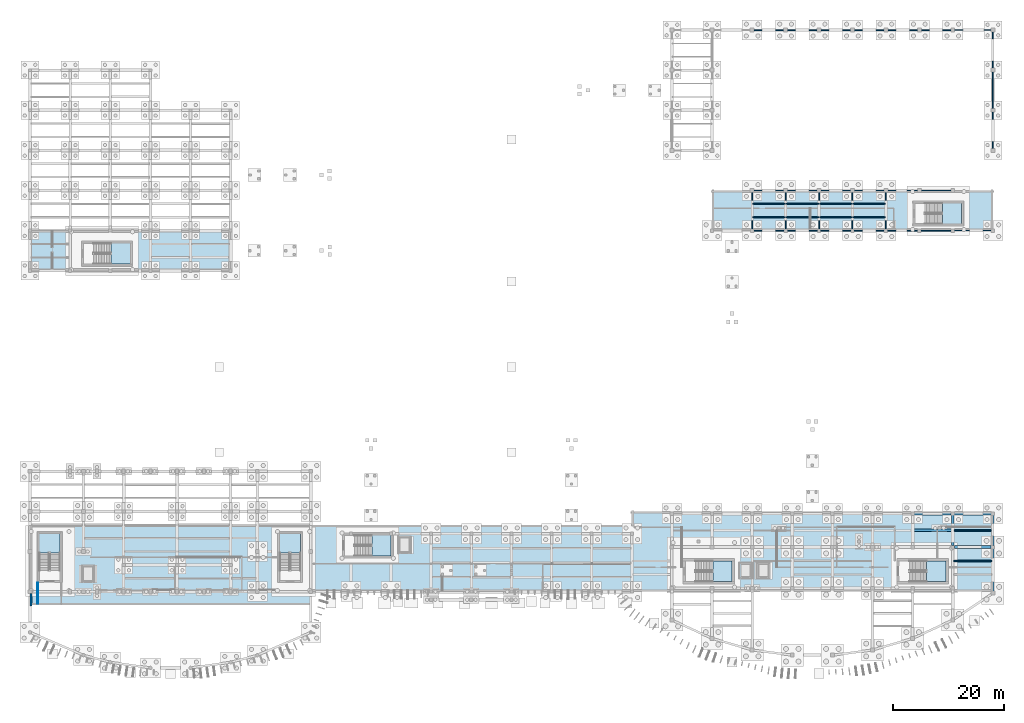
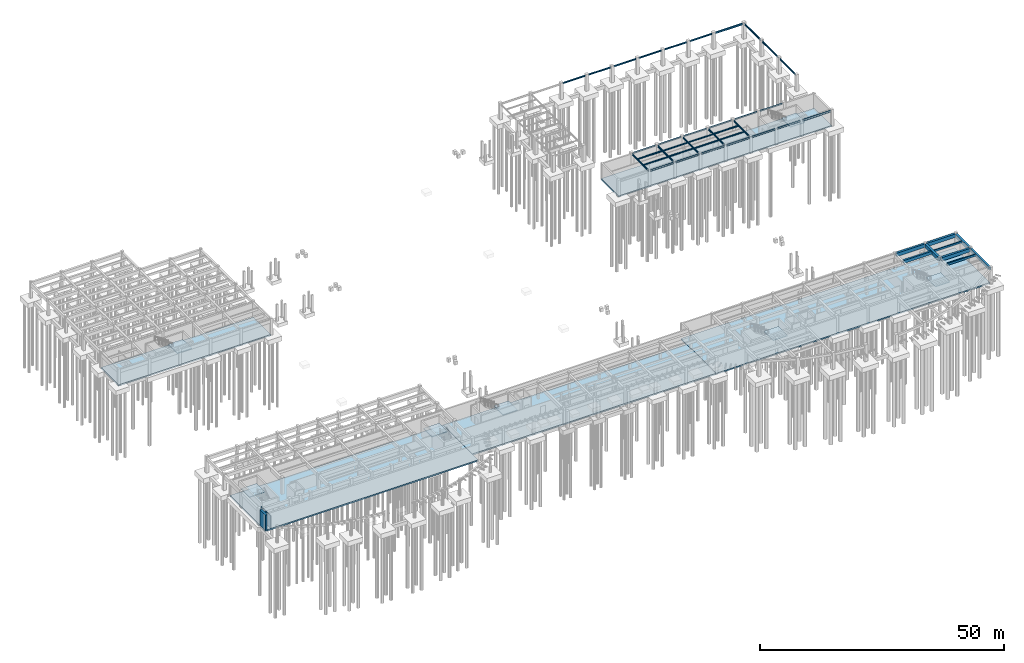
# One storey, part 15 of 31: 45 beams, 12 slabs, 2 walls, 7 elements without a shape of their own.
"""IFC4 building model written with IfcOpenShell, lengths in metres."""

from ifc_helpers import new_model, si_unit, direction, frame, frame_2d, origin, origin_2d, place, context, subcontext, project, spatial, polyline, rectangle, i_section, outline, extrude, material, layer, layer_set, material_profile, profile_set, type_object, element, aggregate, save


model = new_model("IFC4")

# Units and contexts
model_context = context("Model", 3, precision=1e-05, world=origin(), true_north=direction((0.0, 1.0)))
body_context = subcontext(model_context, "Body", "Model", "MODEL_VIEW")
ifc_project = project(units=[si_unit("LENGTHUNIT", "METRE"), si_unit("AREAUNIT", "SQUARE_METRE"), si_unit("VOLUMEUNIT", "CUBIC_METRE"), si_unit("PLANEANGLEUNIT", "RADIAN"), si_unit("MASSUNIT", "GRAM", prefix="KILO")], contexts=[model_context])

# Site, building, storey
site_placement = place(None, origin())
site = spatial("IfcSite", under=ifc_project, at=site_placement, CompositionType="ELEMENT")
building_placement = place(site_placement, origin())
building = spatial("IfcBuilding", under=site, at=building_placement, Name="Brisavento Harbour Community Centre", CompositionType="ELEMENT")
storey_placement = place(building_placement, frame((0.0, 0.0, -4.199951171875)))
storey = spatial("IfcBuildingStorey", under=building, at=storey_placement, Name="B1", CompositionType="ELEMENT", Elevation=-4.199951171875)

# Beams
ifc_material_1 = material(Name="Concrete C35/45", Category="concrete")
ifc_material_profile_1 = material_profile(ifc_material_1, rectangle(XDim=0.25, YDim=0.449951171875, at=origin_2d()), Name="Concrete C35/45")
ifc_profile_set_1 = profile_set([ifc_material_profile_1], Name="Concrete C35/45")
beam_type_1 = type_object("IfcBeamType", Name="BM-JST-250x450", PredefinedType="JOIST", material=ifc_profile_set_1)
beam_1_placement = place(storey_placement, frame((165.85009765625, 25.39990234375, 3.695068359375), z_axis=(1.0, 0.0, 0.0), x_axis=(0.0, 1.0, 0.0)))
element("IfcBeam", 1, at=beam_1_placement, inside=storey, type_object=beam_type_1, Name="B1 secondary floor joist 0123", PredefinedType="JOIST", context=body_context, shape_type="SweptSolid", body=[
    extrude(rectangle(XDim=0.25, YDim=0.449951171875, at=origin_2d()), origin(), (0.0, 0.0, 1.0), 6.699951171875),
])
ifc_material_profile_2 = material_profile(ifc_material_1, rectangle(XDim=0.300048828125, YDim=0.5, at=origin_2d()), Name="Concrete C35/45")
ifc_profile_set_2 = profile_set([ifc_material_profile_2], Name="Concrete C35/45")
beam_type_2 = type_object("IfcBeamType", Name="BM-JST-300x500", PredefinedType="JOIST", material=ifc_profile_set_2)
beam_2_placement = place(storey_placement, frame((165.824951171875, 19.933349609375, 3.669921875), z_axis=(1.0, 0.0, 0.0), x_axis=(0.0, 1.0, 0.0)))
element("IfcBeam", 2, at=beam_2_placement, inside=storey, type_object=beam_type_2, Name="B1 secondary floor joist 0122", PredefinedType="JOIST", context=body_context, shape_type="SweptSolid", body=[
    extrude(rectangle(XDim=0.300048828125, YDim=0.5, at=origin_2d()), origin(), (0.0, 0.0, 1.0), 6.75),
])
ifc_material_profile_3 = material_profile(ifc_material_1, rectangle(XDim=0.419921875, YDim=0.760009765625, at=origin_2d()), Name="Concrete C35/45")
ifc_profile_set_3 = profile_set([ifc_material_profile_3], Name="Concrete C35/45")
beam_type_3 = type_object("IfcBeamType", Name="BM-JST-420x760", PredefinedType="JOIST", material=ifc_profile_set_3)
beam_3_placement = place(storey_placement, frame((158.625, 25.39990234375, 3.5400390625), z_axis=(1.0, 0.0, 0.0), x_axis=(0.0, 1.0, 0.0)))
element("IfcBeam", 3, at=beam_3_placement, inside=storey, type_object=beam_type_3, Name="B1 secondary floor joist 0120", PredefinedType="JOIST", context=body_context, shape_type="SweptSolid", body=[
    extrude(rectangle(XDim=0.419921875, YDim=0.760009765625, at=origin_2d()), origin(), (0.0, 0.0, 1.0), 6.72509765625),
])
ifc_material_profile_4 = material_profile(ifc_material_1, rectangle(XDim=0.449951171875, YDim=0.800048828125, at=origin_2d()), Name="Concrete C35/45")
ifc_profile_set_4 = profile_set([ifc_material_profile_4], Name="Concrete C35/45")
beam_type_4 = type_object("IfcBeamType", Name="BM-RC-450x800", PredefinedType="BEAM", material=ifc_profile_set_4)
beam_4_placement = place(storey_placement, frame((172.800048828125, 14.447998046875, 3.52001953125), z_axis=(0.0, 1.0, 0.0), x_axis=(-1.0, 0.0, 0.0)))
element("IfcBeam", 4, at=beam_4_placement, inside=storey, type_object=beam_type_4, Name="B1 primary girder Y0205", PredefinedType="BEAM", context=body_context, shape_type="SweptSolid", body=[
    extrude(rectangle(XDim=0.449951171875, YDim=0.800048828125, at=origin_2d()), origin(), (0.0, 0.0, 1.0), 7.656982421875),
])
ifc_material_profile_5 = material_profile(ifc_material_1, rectangle(XDim=0.5, YDim=0.85009765625, at=origin_2d()), Name="Concrete C35/45")
ifc_profile_set_5 = profile_set([ifc_material_profile_5], Name="Concrete C35/45")
beam_type_5 = type_object("IfcBeamType", Name="BM-RC-500x850", PredefinedType="BEAM", material=ifc_profile_set_5)
beam_5_placement = place(storey_placement, frame((165.89501953125, 22.39990234375, 3.494873046875), z_axis=(1.0, 0.0, 0.0), x_axis=(0.0, 1.0, 0.0)))
element("IfcBeam", 5, at=beam_5_placement, inside=storey, type_object=beam_type_5, Name="B1 primary girder X0035", PredefinedType="BEAM", context=body_context, shape_type="SweptSolid", body=[
    extrude(rectangle(XDim=0.5, YDim=0.85009765625, at=origin_2d()), origin(), (0.0, 0.0, 1.0), 6.60986328125),
])
beam_6_placement = place(storey_placement, frame((158.669921875, 28.39990234375, 3.494873046875), z_axis=(1.0, 0.0, 0.0), x_axis=(0.0, 1.0, 0.0)))
element("IfcBeam", 6, at=beam_6_placement, inside=storey, type_object=beam_type_5, Name="B1 primary girder X0049", PredefinedType="BEAM", context=body_context, shape_type="SweptSolid", body=[
    extrude(rectangle(XDim=0.5, YDim=0.85009765625, at=origin_2d()), origin(), (0.0, 0.0, 1.0), 6.66015625),
])
ifc_material_profile_6 = material_profile(ifc_material_1, rectangle(XDim=0.5, YDim=0.89990234375, at=origin_2d()), Name="Concrete C35/45")
ifc_profile_set_6 = profile_set([ifc_material_profile_6], Name="Concrete C35/45")
beam_type_6 = type_object("IfcBeamType", Name="BM-RC-500x900", PredefinedType="BEAM", material=ifc_profile_set_6)
beam_7_placement = place(storey_placement, frame((165.8701171875, 28.39990234375, 3.469970703125), z_axis=(1.0, 0.0, 0.0), x_axis=(0.0, 1.0, 0.0)))
element("IfcBeam", 7, at=beam_7_placement, inside=storey, type_object=beam_type_6, Name="B1 primary girder X0050", PredefinedType="BEAM", context=body_context, shape_type="SweptSolid", body=[
    extrude(rectangle(XDim=0.5, YDim=0.89990234375, at=origin_2d()), origin(), (0.0, 0.0, 1.0), 6.659912109375),
])
for number, where, z_axis, x_axis, name in (
    (8, (165.60009765625, 22.695068359375, 3.469970703125), (0.0, 1.0, 0.0), (-1.0, 0.0, 0.0), "B1 primary girder Y0204"),
    (9, (172.800048828125, 22.695068359375, 3.469970703125), (0.0, 1.0, 0.0), (-1.0, 0.0, 0.0), "B1 primary girder Y0206"),
):
    element("IfcBeam", number, at=place(storey_placement, frame(where, z_axis=z_axis, x_axis=x_axis)), inside=storey, type_object=beam_type_6, Name=name, PredefinedType="BEAM", context=body_context, shape_type="SweptSolid", body=[
        extrude(rectangle(XDim=0.5, YDim=0.89990234375, at=origin_2d()), origin(), (0.0, 0.0, 1.0), 5.434814453125),
    ])
ifc_material_2 = material(Name="Steel S355", Category="steel")
ifc_material_profile_7 = material_profile(ifc_material_2, i_section(OverallWidth=0.1201171875, OverallDepth=0.239990234375, WebThickness=0.006103515625, FlangeThickness=0.009765625, FilletRadius=0.014892578125, at=origin_2d()), Name="Steel S355")
ifc_profile_set_7 = profile_set([ifc_material_profile_7], Name="Steel S355")
beam_type_7 = type_object("IfcBeamType", Name="BM-STL-IPE240", PredefinedType="JOIST", material=ifc_profile_set_7)
beam_8_placement = place(storey_placement, frame((135.68994140625, 81.60009765625, 3.800048828125), z_axis=(1.0, 0.0, 0.0), x_axis=(0.0, 1.0, 0.0)))
element("IfcBeam", 10, at=beam_8_placement, inside=storey, type_object=beam_type_7, Name="B1 secondary floor joist 0103", PredefinedType="JOIST", context=body_context, shape_type="SweptSolid", body=[
    extrude(i_section(OverallWidth=0.1201171875, OverallDepth=0.239990234375, WebThickness=0.006103515625, FlangeThickness=0.009765625, FilletRadius=0.014892578125, at=origin_2d()), origin(), (0.0, 0.0, 1.0), 5.820068359375),
])
ifc_material_profile_8 = material_profile(ifc_material_2, i_section(OverallWidth=0.135009765625, OverallDepth=0.27001953125, WebThickness=0.006591796875, FlangeThickness=0.01025390625, FilletRadius=0.014892578125, at=origin_2d()), Name="Steel S355")
ifc_profile_set_8 = profile_set([ifc_material_profile_8], Name="Steel S355")
beam_type_8 = type_object("IfcBeamType", Name="BM-STL-IPE270", PredefinedType="JOIST", material=ifc_profile_set_8)
for number, where, z_axis, x_axis, name in (
    (11, (129.68994140625, 84.0, 3.784912109375), (1.0, 0.0, 0.0), (0.0, 1.0, 0.0), "B1 secondary floor joist 0102"),
    (12, (147.68994140625, 84.0, 3.784912109375), (1.0, 0.0, 0.0), (0.0, 1.0, 0.0), "B1 secondary floor joist 0114"),
):
    element("IfcBeam", number, at=place(storey_placement, frame(where, z_axis=z_axis, x_axis=x_axis)), inside=storey, type_object=beam_type_8, Name=name, PredefinedType="JOIST", context=body_context, shape_type="SweptSolid", body=[
        extrude(i_section(OverallWidth=0.135009765625, OverallDepth=0.27001953125, WebThickness=0.006591796875, FlangeThickness=0.01025390625, FilletRadius=0.014892578125, at=origin_2d()), origin(), (0.0, 0.0, 1.0), 5.820068359375),
    ])
ifc_material_profile_9 = material_profile(ifc_material_2, i_section(OverallWidth=0.14990234375, OverallDepth=0.300048828125, WebThickness=0.007080078125, FlangeThickness=0.0107421875, FilletRadius=0.014892578125, at=origin_2d()), Name="Steel S355")
ifc_profile_set_9 = profile_set([ifc_material_profile_9], Name="Steel S355")
beam_type_9 = type_object("IfcBeamType", Name="BM-STL-IPE300", PredefinedType="JOIST", material=ifc_profile_set_9)
for number, where, z_axis, x_axis, name in (
    (13, (129.68994140625, 81.60009765625, 3.77001953125), (1.0, 0.0, 0.0), (0.0, 1.0, 0.0), "B1 secondary floor joist 0101"),
    (14, (141.68994140625, 84.0, 3.77001953125), (1.0, 0.0, 0.0), (0.0, 1.0, 0.0), "B1 secondary floor joist 0109"),
    (15, (147.68994140625, 81.60009765625, 3.77001953125), (1.0, 0.0, 0.0), (0.0, 1.0, 0.0), "B1 secondary floor joist 0113"),
):
    element("IfcBeam", number, at=place(storey_placement, frame(where, z_axis=z_axis, x_axis=x_axis)), inside=storey, type_object=beam_type_9, Name=name, PredefinedType="JOIST", context=body_context, shape_type="SweptSolid", body=[
        extrude(i_section(OverallWidth=0.14990234375, OverallDepth=0.300048828125, WebThickness=0.007080078125, FlangeThickness=0.0107421875, FilletRadius=0.014892578125, at=origin_2d()), origin(), (0.0, 0.0, 1.0), 5.820068359375),
    ])
ifc_material_profile_10 = material_profile(ifc_material_2, i_section(OverallWidth=0.159912109375, OverallDepth=0.330078125, WebThickness=0.007568359375, FlangeThickness=0.011474609375, FilletRadius=0.01806640625, at=origin_2d()), Name="Steel S355")
ifc_profile_set_10 = profile_set([ifc_material_profile_10], Name="Steel S355")
beam_type_10 = type_object("IfcBeamType", Name="BM-STL-IPE330", PredefinedType="JOIST", material=ifc_profile_set_10)
for number, where, z_axis, x_axis, name in (
    (16, (135.68994140625, 84.0, 3.7548828125), (1.0, 0.0, 0.0), (0.0, 1.0, 0.0), "B1 secondary floor joist 0104"),
    (17, (141.68994140625, 81.60009765625, 3.7548828125), (1.0, 0.0, 0.0), (0.0, 1.0, 0.0), "B1 secondary floor joist 0108"),
):
    element("IfcBeam", number, at=place(storey_placement, frame(where, z_axis=z_axis, x_axis=x_axis)), inside=storey, type_object=beam_type_10, Name=name, PredefinedType="JOIST", context=body_context, shape_type="SweptSolid", body=[
        extrude(i_section(OverallWidth=0.159912109375, OverallDepth=0.330078125, WebThickness=0.007568359375, FlangeThickness=0.011474609375, FilletRadius=0.01806640625, at=origin_2d()), origin(), (0.0, 0.0, 1.0), 5.820068359375),
    ])
ifc_material_profile_11 = material_profile(ifc_material_2, i_section(OverallWidth=0.169921875, OverallDepth=0.360107421875, WebThickness=0.008056640625, FlangeThickness=0.0126953125, FilletRadius=0.01806640625, at=origin_2d()), Name="Steel S355")
ifc_profile_set_11 = profile_set([ifc_material_profile_11], Name="Steel S355")
beam_type_11 = type_object("IfcBeamType", Name="BM-STL-IPE360", PredefinedType="BEAM", material=ifc_profile_set_11)
for number, where, z_axis, x_axis, name in (
    (18, (129.8701171875, 79.199951171875, 3.739990234375), (1.0, 0.0, 0.0), (0.0, 1.0, 0.0), "B1 primary girder X0078"),
    (19, (135.8701171875, 79.199951171875, 3.739990234375), (1.0, 0.0, 0.0), (0.0, 1.0, 0.0), "B1 primary girder X0079"),
    (20, (141.8701171875, 79.199951171875, 3.739990234375), (1.0, 0.0, 0.0), (0.0, 1.0, 0.0), "B1 primary girder X0080"),
    (21, (147.8701171875, 79.199951171875, 3.739990234375), (1.0, 0.0, 0.0), (0.0, 1.0, 0.0), "B1 primary girder X0081"),
    (22, (153.8701171875, 79.199951171875, 3.739990234375), (1.0, 0.0, 0.0), (0.0, 1.0, 0.0), "B1 primary girder X0082"),
    (23, (159.8701171875, 79.199951171875, 3.739990234375), (1.0, 0.0, 0.0), (0.0, 1.0, 0.0), "B1 primary girder X0083"),
):
    element("IfcBeam", number, at=place(storey_placement, frame(where, z_axis=z_axis, x_axis=x_axis)), inside=storey, type_object=beam_type_11, Name=name, PredefinedType="BEAM", context=body_context, shape_type="SweptSolid", body=[
        extrude(i_section(OverallWidth=0.169921875, OverallDepth=0.360107421875, WebThickness=0.008056640625, FlangeThickness=0.0126953125, FilletRadius=0.01806640625, at=origin_2d()), origin(), (0.0, 0.0, 1.0), 5.4599609375),
    ])
for number, where, z_axis, x_axis, name in (
    (24, (129.919921875, 86.39990234375, 3.739990234375), (1.0, 0.0, 0.0), (0.0, 1.0, 0.0), "B1 primary girder X0090"),
    (25, (135.919921875, 86.39990234375, 3.739990234375), (1.0, 0.0, 0.0), (0.0, 1.0, 0.0), "B1 primary girder X0091"),
    (26, (141.919921875, 86.39990234375, 3.739990234375), (1.0, 0.0, 0.0), (0.0, 1.0, 0.0), "B1 primary girder X0092"),
    (27, (147.919921875, 86.39990234375, 3.739990234375), (1.0, 0.0, 0.0), (0.0, 1.0, 0.0), "B1 primary girder X0093"),
    (28, (153.919921875, 86.39990234375, 3.739990234375), (1.0, 0.0, 0.0), (0.0, 1.0, 0.0), "B1 primary girder X0094"),
    (29, (159.919921875, 86.39990234375, 3.739990234375), (1.0, 0.0, 0.0), (0.0, 1.0, 0.0), "B1 primary girder X0095"),
    (30, (129.919921875, 115.199951171875, 3.739990234375), (1.0, 0.0, 0.0), (0.0, 1.0, 0.0), "B1 primary girder X0114"),
    (31, (135.919921875, 115.199951171875, 3.739990234375), (1.0, 0.0, 0.0), (0.0, 1.0, 0.0), "B1 primary girder X0115"),
    (32, (141.919921875, 115.199951171875, 3.739990234375), (1.0, 0.0, 0.0), (0.0, 1.0, 0.0), "B1 primary girder X0116"),
    (33, (147.919921875, 115.199951171875, 3.739990234375), (1.0, 0.0, 0.0), (0.0, 1.0, 0.0), "B1 primary girder X0117"),
    (34, (153.919921875, 115.199951171875, 3.739990234375), (1.0, 0.0, 0.0), (0.0, 1.0, 0.0), "B1 primary girder X0118"),
    (35, (159.919921875, 115.199951171875, 3.739990234375), (1.0, 0.0, 0.0), (0.0, 1.0, 0.0), "B1 primary girder X0119"),
):
    element("IfcBeam", number, at=place(storey_placement, frame(where, z_axis=z_axis, x_axis=x_axis)), inside=storey, type_object=beam_type_11, Name=name, PredefinedType="BEAM", context=body_context, shape_type="SweptSolid", body=[
        extrude(i_section(OverallWidth=0.169921875, OverallDepth=0.360107421875, WebThickness=0.008056640625, FlangeThickness=0.0126953125, FilletRadius=0.01806640625, at=origin_2d()), origin(), (0.0, 0.0, 1.0), 5.360107421875),
    ])
ifc_material_profile_12 = material_profile(ifc_material_2, i_section(OverallWidth=0.179931640625, OverallDepth=0.39990234375, WebThickness=0.008544921875, FlangeThickness=0.013427734375, FilletRadius=0.02099609375, at=origin_2d()), Name="Steel S355")
ifc_profile_set_12 = profile_set([ifc_material_profile_12], Name="Steel S355")
beam_type_12 = type_object("IfcBeamType", Name="BM-STL-IPE400", PredefinedType="BEAM", material=ifc_profile_set_12)
for number, where, z_axis, x_axis, name in (
    (36, (129.60009765625, 79.469970703125, 3.719970703125), (0.0, 1.0, 0.0), (-1.0, 0.0, 0.0), "B1 primary girder Y0188"),
    (37, (135.60009765625, 79.469970703125, 3.719970703125), (0.0, 1.0, 0.0), (-1.0, 0.0, 0.0), "B1 primary girder Y0189"),
    (38, (141.60009765625, 79.469970703125, 3.719970703125), (0.0, 1.0, 0.0), (-1.0, 0.0, 0.0), "B1 primary girder Y0192"),
    (39, (147.60009765625, 79.469970703125, 3.719970703125), (0.0, 1.0, 0.0), (-1.0, 0.0, 0.0), "B1 primary girder Y0195"),
    (40, (153.60009765625, 79.469970703125, 3.719970703125), (0.0, 1.0, 0.0), (-1.0, 0.0, 0.0), "B1 primary girder Y0199"),
):
    element("IfcBeam", number, at=place(storey_placement, frame(where, z_axis=z_axis, x_axis=x_axis)), inside=storey, type_object=beam_type_12, Name=name, PredefinedType="BEAM", context=body_context, shape_type="SweptSolid", body=[
        extrude(i_section(OverallWidth=0.179931640625, OverallDepth=0.39990234375, WebThickness=0.008544921875, FlangeThickness=0.013427734375, FilletRadius=0.02099609375, at=origin_2d()), origin(), (0.0, 0.0, 1.0), 6.610107421875),
    ])
beam_9_placement = place(storey_placement, frame((172.800048828125, 93.919921875, 3.719970703125), z_axis=(0.0, 1.0, 0.0), x_axis=(-1.0, 0.0, 0.0)))
element("IfcBeam", 41, at=beam_9_placement, inside=storey, type_object=beam_type_12, Name="B1 primary girder Y0207", PredefinedType="BEAM", context=body_context, shape_type="SweptSolid", body=[
    extrude(i_section(OverallWidth=0.179931640625, OverallDepth=0.39990234375, WebThickness=0.008544921875, FlangeThickness=0.013427734375, FilletRadius=0.02099609375, at=origin_2d()), origin(), (0.0, 0.0, 1.0), 6.56005859375),
])
for number, where, z_axis, x_axis, name in (
    (42, (172.800048828125, 101.1201171875, 3.719970703125), (0.0, 1.0, 0.0), (-1.0, 0.0, 0.0), "B1 primary girder Y0208"),
    (43, (172.800048828125, 108.320068359375, 3.719970703125), (0.0, 1.0, 0.0), (-1.0, 0.0, 0.0), "B1 primary girder Y0209"),
):
    element("IfcBeam", number, at=place(storey_placement, frame(where, z_axis=z_axis, x_axis=x_axis)), inside=storey, type_object=beam_type_12, Name=name, PredefinedType="BEAM", context=body_context, shape_type="SweptSolid", body=[
        extrude(i_section(OverallWidth=0.179931640625, OverallDepth=0.39990234375, WebThickness=0.008544921875, FlangeThickness=0.013427734375, FilletRadius=0.02099609375, at=origin_2d()), origin(), (0.0, 0.0, 1.0), 6.559814453125),
    ])
ifc_material_profile_13 = material_profile(ifc_material_2, i_section(OverallWidth=0.18994140625, OverallDepth=0.449951171875, WebThickness=0.009521484375, FlangeThickness=0.0146484375, FilletRadius=0.02099609375, at=origin_2d()), Name="Steel S355")
ifc_profile_set_13 = profile_set([ifc_material_profile_13], Name="Steel S355")
beam_type_13 = type_object("IfcBeamType", Name="BM-STL-IPE450", PredefinedType="BEAM", material=ifc_profile_set_13)
beam_10_placement = place(storey_placement, frame((165.8701171875, 79.199951171875, 3.695068359375), z_axis=(1.0, 0.0, 0.0), x_axis=(0.0, 1.0, 0.0)))
element("IfcBeam", 44, at=beam_10_placement, inside=storey, type_object=beam_type_13, Name="B1 primary girder X0084", PredefinedType="BEAM", context=body_context, shape_type="SweptSolid", body=[
    extrude(i_section(OverallWidth=0.18994140625, OverallDepth=0.449951171875, WebThickness=0.009521484375, FlangeThickness=0.0146484375, FilletRadius=0.02099609375, at=origin_2d()), origin(), (0.0, 0.0, 1.0), 6.659912109375),
])
beam_11_placement = place(storey_placement, frame((165.919921875, 115.199951171875, 3.695068359375), z_axis=(1.0, 0.0, 0.0), x_axis=(0.0, 1.0, 0.0)))
element("IfcBeam", 45, at=beam_11_placement, inside=storey, type_object=beam_type_13, Name="B1 primary girder X0120", PredefinedType="BEAM", context=body_context, shape_type="SweptSolid", body=[
    extrude(i_section(OverallWidth=0.18994140625, OverallDepth=0.449951171875, WebThickness=0.009521484375, FlangeThickness=0.0146484375, FilletRadius=0.02099609375, at=origin_2d()), origin(), (0.0, 0.0, 1.0), 6.56005859375),
])

# Slabs
ifc_layer_1 = layer(ifc_material_1, 0.35009765625, Name="Concrete C35/45")
ifc_layer_set_1 = layer_set([ifc_layer_1], Name="Concrete C35/45")
slab_type_1 = type_object("IfcSlabType", Name="SLB-BASE-350", PredefinedType="BASESLAB", material=ifc_layer_set_1)
slab_1_placement = place(storey_placement, frame((0.0, 0.0, -0.35009765625)))
element("IfcSlab", 46, at=slab_1_placement, inside=storey, type_object=slab_type_1, Name="B1 V1 structural floor slab 001", PredefinedType="BASESLAB", context=body_context, shape_type="SweptSolid", body=[
    extrude(outline(polyline([(0.0, 12.0), (50.39990234375, 12.0), (50.39990234375, 26.39990234375), (0.0, 26.39990234375), (0.0, 12.0)])), origin(), (0.0, 0.0, 1.0), 0.35009765625),
])
slab_2_placement = place(storey_placement, frame((0.0, 0.0, -0.35009765625)))
element("IfcSlab", 47, at=slab_2_placement, inside=storey, type_object=slab_type_1, Name="B1 V2 structural floor slab 002", PredefinedType="BASESLAB", context=body_context, shape_type="SweptSolid", body=[
    extrude(outline(polyline([(50.39990234375, 14.39990234375), (108.0, 14.39990234375), (108.0, 26.39990234375), (50.39990234375, 26.39990234375), (50.39990234375, 14.39990234375)])), origin(), (0.0, 0.0, 1.0), 0.35009765625),
])
slab_3_placement = place(storey_placement, frame((0.0, 0.0, -0.35009765625)))
element("IfcSlab", 48, at=slab_3_placement, inside=storey, type_object=slab_type_1, Name="B1 V3 structural floor slab 003", PredefinedType="BASESLAB", context=body_context, shape_type="SweptSolid", body=[
    extrude(outline(polyline([(108.0, 14.39990234375), (172.800048828125, 14.39990234375), (172.800048828125, 28.800048828125), (108.0, 28.800048828125), (108.0, 14.39990234375)])), origin(), (0.0, 0.0, 1.0), 0.35009765625),
])
slab_4_placement = place(storey_placement, frame((0.0, 0.0, -0.35009765625)))
element("IfcSlab", 49, at=slab_4_placement, inside=storey, type_object=slab_type_1, Name="B1 V5 structural floor slab 005", PredefinedType="BASESLAB", context=body_context, shape_type="SweptSolid", body=[
    extrude(outline(polyline([(0.0, 72.0), (36.0, 72.0), (36.0, 79.199951171875), (0.0, 79.199951171875), (0.0, 72.0)])), origin(), (0.0, 0.0, 1.0), 0.35009765625),
])

# Stair, slab
stair_type = type_object("IfcStairType", Name="STR-DL-4200", PredefinedType="HALF_TURN_STAIR", material=ifc_material_1)
stair_1_placement = place(storey_placement, origin())
stair_1 = element("IfcStair", 50, at=stair_1_placement, inside=storey, type_object=stair_type, Name="B1 ST-01", PredefinedType="HALF_TURN_STAIR")
ifc_layer_2 = layer(ifc_material_1, 0.199951171875, Name="Concrete C35/45")
ifc_layer_set_2 = layer_set([ifc_layer_2], Name="Concrete C35/45")
slab_type_2 = type_object("IfcSlabType", Name="SLB-LND-200", PredefinedType="LANDING", material=ifc_layer_set_2)
slab_5_placement = place(storey_placement, frame((0.0, 0.0, 1.89990234375)))
slab_5 = element("IfcSlab", 51, at=slab_5_placement, type_object=slab_type_2, Name="ST-01 landing 1", PredefinedType="LANDING", context=body_context, shape_type="SweptSolid", body=[
    extrude(outline(polyline([(5.39990234375, 21.3349609375), (5.39990234375, 24.800048828125), (1.64990234375, 24.800048828125), (1.64990234375, 21.3349609375), (5.39990234375, 21.3349609375)])), origin(), (0.0, 0.0, 1.0), 0.199951171875),
])
aggregate(stair_1, [slab_5])

stair_2_placement = place(storey_placement, origin())
stair_2 = element("IfcStair", 52, at=stair_2_placement, inside=storey, type_object=stair_type, Name="B1 ST-02", PredefinedType="HALF_TURN_STAIR")
slab_6_placement = place(storey_placement, frame((0.0, 0.0, 1.89990234375)))
slab_6 = element("IfcSlab", 53, at=slab_6_placement, type_object=slab_type_2, Name="ST-02 landing 1", PredefinedType="LANDING", context=body_context, shape_type="SweptSolid", body=[
    extrude(outline(polyline([(48.550048828125, 21.3349609375), (48.550048828125, 24.800048828125), (44.800048828125, 24.800048828125), (44.800048828125, 21.3349609375), (48.550048828125, 21.3349609375)])), origin(), (0.0, 0.0, 1.0), 0.199951171875),
])
aggregate(stair_2, [slab_6])

stair_3_placement = place(storey_placement, origin())
stair_3 = element("IfcStair", 54, at=stair_3_placement, inside=storey, type_object=stair_type, Name="B1 ST-03", PredefinedType="HALF_TURN_STAIR")
slab_7_placement = place(storey_placement, frame((0.0, 0.0, 1.89990234375)))
slab_7 = element("IfcSlab", 55, at=slab_7_placement, type_object=slab_type_2, Name="ST-03 landing 1", PredefinedType="LANDING", context=body_context, shape_type="SweptSolid", body=[
    extrude(outline(polyline([(61.3349609375, 20.800048828125), (64.800048828125, 20.800048828125), (64.800048828125, 24.550048828125), (61.3349609375, 24.550048828125), (61.3349609375, 20.800048828125)])), origin(), (0.0, 0.0, 1.0), 0.199951171875),
])
aggregate(stair_3, [slab_7])

stair_4_placement = place(storey_placement, origin())
stair_4 = element("IfcStair", 56, at=stair_4_placement, inside=storey, type_object=stair_type, Name="B1 ST-04", PredefinedType="HALF_TURN_STAIR")
slab_8_placement = place(storey_placement, frame((0.0, 0.0, 1.89990234375)))
slab_8 = element("IfcSlab", 57, at=slab_8_placement, type_object=slab_type_2, Name="ST-04 landing 1", PredefinedType="LANDING", context=body_context, shape_type="SweptSolid", body=[
    extrude(outline(polyline([(122.534912109375, 16.199951171875), (126.0, 16.199951171875), (126.0, 19.949951171875), (122.534912109375, 19.949951171875), (122.534912109375, 16.199951171875)])), origin(), (0.0, 0.0, 1.0), 0.199951171875),
])
aggregate(stair_4, [slab_8])

stair_5_placement = place(storey_placement, origin())
stair_5 = element("IfcStair", 58, at=stair_5_placement, inside=storey, type_object=stair_type, Name="B1 ST-05", PredefinedType="HALF_TURN_STAIR")
slab_9_placement = place(storey_placement, frame((0.0, 0.0, 1.89990234375)))
slab_9 = element("IfcSlab", 59, at=slab_9_placement, type_object=slab_type_2, Name="ST-05 landing 1", PredefinedType="LANDING", context=body_context, shape_type="SweptSolid", body=[
    extrude(outline(polyline([(160.93505859375, 16.199951171875), (164.39990234375, 16.199951171875), (164.39990234375, 19.949951171875), (160.93505859375, 19.949951171875), (160.93505859375, 16.199951171875)])), origin(), (0.0, 0.0, 1.0), 0.199951171875),
])
aggregate(stair_5, [slab_9])

stair_6_placement = place(storey_placement, origin())
stair_6 = element("IfcStair", 60, at=stair_6_placement, inside=storey, type_object=stair_type, Name="B1 ST-06", PredefinedType="HALF_TURN_STAIR")
slab_10_placement = place(storey_placement, frame((0.0, 0.0, 1.89990234375)))
slab_10 = element("IfcSlab", 61, at=slab_10_placement, type_object=slab_type_2, Name="ST-06 landing 1", PredefinedType="LANDING", context=body_context, shape_type="SweptSolid", body=[
    extrude(outline(polyline([(163.735107421875, 80.39990234375), (167.199951171875, 80.39990234375), (167.199951171875, 84.14990234375), (163.735107421875, 84.14990234375), (163.735107421875, 80.39990234375)])), origin(), (0.0, 0.0, 1.0), 0.199951171875),
])
aggregate(stair_6, [slab_10])

stair_7_placement = place(storey_placement, origin())
stair_7 = element("IfcStair", 62, at=stair_7_placement, inside=storey, type_object=stair_type, Name="B1 ST-07", PredefinedType="HALF_TURN_STAIR")
slab_11_placement = place(storey_placement, frame((0.0, 0.0, 1.89990234375)))
slab_11 = element("IfcSlab", 63, at=slab_11_placement, type_object=slab_type_2, Name="ST-07 landing 1", PredefinedType="LANDING", context=body_context, shape_type="SweptSolid", body=[
    extrude(outline(polyline([(14.534912109375, 73.199951171875), (18.0, 73.199951171875), (18.0, 76.949951171875), (14.534912109375, 76.949951171875), (14.534912109375, 73.199951171875)])), origin(), (0.0, 0.0, 1.0), 0.199951171875),
])
aggregate(stair_7, [slab_11])

# Slab
ifc_layer_3 = layer(ifc_material_1, 0.300048828125, Name="Concrete C35/45")
ifc_layer_set_3 = layer_set([ifc_layer_3], Name="Concrete C35/45")
slab_type_3 = type_object("IfcSlabType", Name="SLB-SOG-300", PredefinedType="BASESLAB", material=ifc_layer_set_3)
slab_12_placement = place(storey_placement, frame((0.0, 0.0, -0.300048828125)))
element("IfcSlab", 64, at=slab_12_placement, inside=storey, type_object=slab_type_3, Name="B1 V4 structural floor slab 004", PredefinedType="BASESLAB", context=body_context, shape_type="SweptSolid", body=[
    extrude(outline(polyline([(122.39990234375, 79.199951171875), (172.800048828125, 79.199951171875), (172.800048828125, 86.39990234375), (122.39990234375, 86.39990234375), (122.39990234375, 79.199951171875)])), origin(), (0.0, 0.0, 1.0), 0.300048828125),
])

# Walls
ifc_layer_4 = layer(ifc_material_1, 0.3798828125, Name="Concrete C35/45")
ifc_layer_set_4 = layer_set([ifc_layer_4], Name="Concrete C35/45")
wall_type_1 = type_object("IfcWallType", Name="WL-B1-380", PredefinedType="SOLIDWALL", material=ifc_layer_set_4)
wall_1_placement = place(storey_placement, frame((0.179931640625, 11.81005859375, 0.0), z_axis=(0.0, 0.0, 1.0), x_axis=(0.0, 1.0, 0.0)))
element("IfcWall", 65, at=wall_1_placement, inside=storey, type_object=wall_type_1, Name="B1 perimeter retaining wall 0003", PredefinedType="SOLIDWALL", context=body_context, shape_type="SweptSolid", body=[
    extrude(rectangle(XDim=2.280029296875, YDim=0.3798828125, at=frame_2d((1.14013671875, 0.0))), origin(), (0.0, 0.0, 1.0), 3.919921875),
])
ifc_material_3 = material(Name="Acoustic gypsum stud partition", Category="other")
ifc_layer_5 = layer(ifc_material_3, 0.159912109375, Name="Acoustic gypsum stud partition")
ifc_layer_set_5 = layer_set([ifc_layer_5], Name="Acoustic gypsum stud partition")
wall_type_2 = type_object("IfcWallType", Name="WL-PRT-160", PredefinedType="PARTITIONING", material=ifc_layer_set_5)
wall_2_placement = place(storey_placement, frame((1.39990234375, 15.989990234375, 0.0), z_axis=(0.0, 0.0, 1.0), x_axis=(0.0, -1.0, 0.0)))
element("IfcWall", 66, at=wall_2_placement, inside=storey, type_object=wall_type_2, Name="B1 Firefighting Lobby B1 partition 0002", PredefinedType="PARTITIONING", context=body_context, shape_type="SweptSolid", body=[
    extrude(rectangle(XDim=3.7900390625, YDim=0.159912109375, at=frame_2d((1.89501953125, 0.0))), origin(), (0.0, 0.0, 1.0), 3.070068359375),
])

save(model, "model.ifc")
